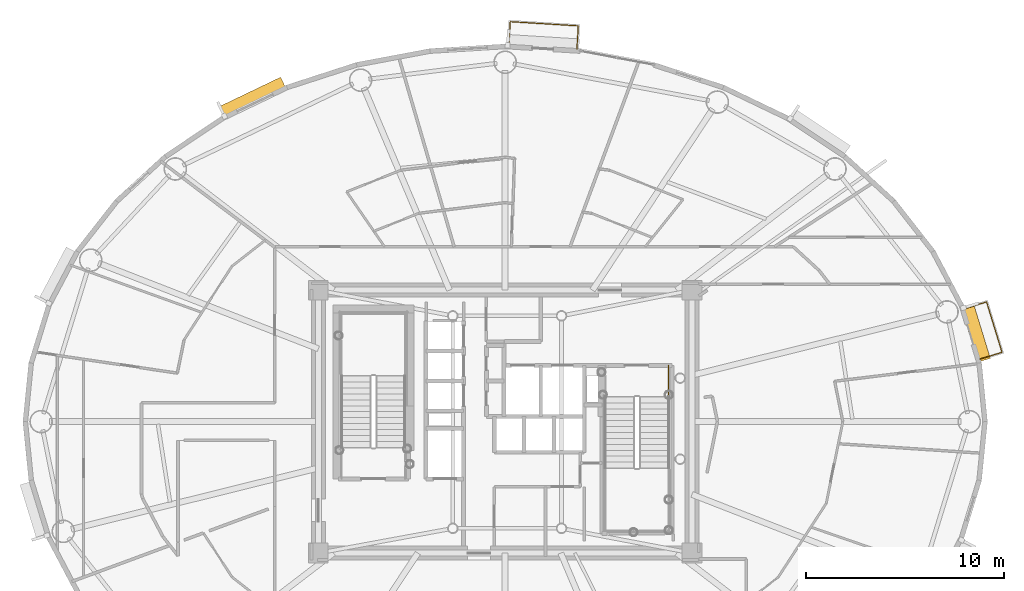
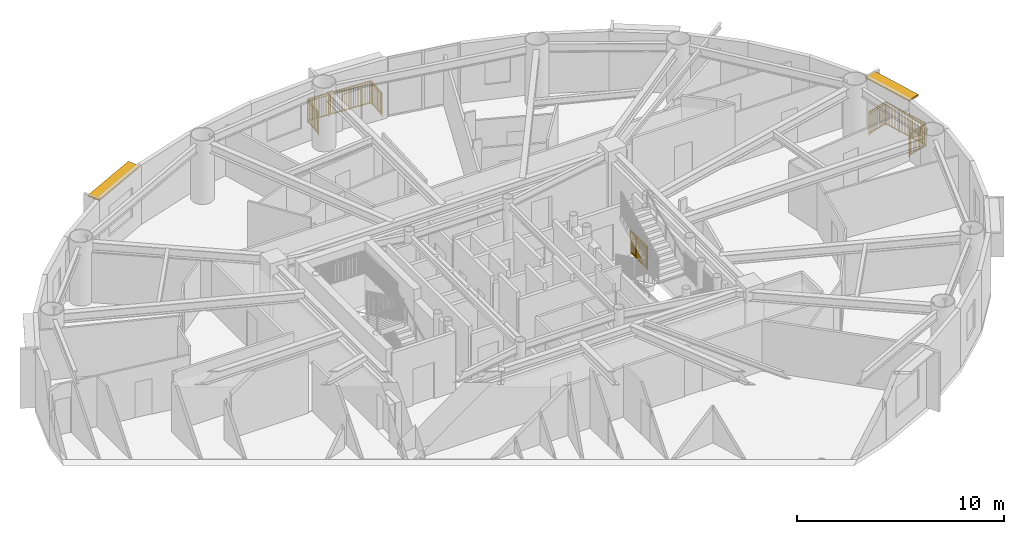
# One storey, part 19 of 20: 3 railings, 2 shading devices.
"""IFC4 building model written with IfcOpenShell, lengths in metres."""

import ifcopenshell
import ifcopenshell.guid

model = None  # the IFC model being written
_history = None  # IfcOwnerHistory: only IFC2X3 demands one
_inside = {}  # id of a spatial element -> (the spatial element, [elements in it])
_under = {}  # id of a project, library or spatial element -> (it, [spatial elements below it])
_declared = {}  # id of a project -> (the project, [libraries it declares])
_typed = {}  # id of a type object -> (the type object, [elements of that type])
_made_of = {}  # id of a material, layer set ... -> (it, [elements and type objects made of it])


def new_model(schema):
    """Start an empty IFC model of exactly this schema.

    Asked for "IFC4X3", IfcOpenShell would pick the latest addendum, in which some entities
    have other attributes; the version numbers below select the first issue.
    IFC2X3 requires an IfcOwnerHistory on every rooted entity: one is made here for all.
    """
    global model, _history
    if schema == "IFC4X3":
        model = ifcopenshell.file(schema_version=(4, 3, 0, 0))
    else:
        model = ifcopenshell.file(schema=schema)
    _inside.clear()
    _under.clear()
    _declared.clear()
    _typed.clear()
    _made_of.clear()
    _history = None
    if model.schema == "IFC2X3":
        org = make("IfcOrganization", Name="unknown")
        user = make(
            "IfcPersonAndOrganization",
            ThePerson=make("IfcPerson", FamilyName="unknown"),
            TheOrganization=org,
        )
        app = make(
            "IfcApplication",
            ApplicationDeveloper=org,
            Version="unknown",
            ApplicationFullName="unknown",
            ApplicationIdentifier="unknown",
        )
        _history = make(
            "IfcOwnerHistory",
            OwningUser=user,
            OwningApplication=app,
            ChangeAction="ADDED",
            CreationDate=0,
        )
    return model


def make(cls, **values):
    """One entity of the class cls with the attributes given. An attribute that is None is left unset."""
    return model.create_entity(
        cls, **{name: value for name, value in values.items() if value is not None}
    )


def rooted(cls, **values):
    """An entity with a GlobalId (a new one), such as an element, a storey or a relation."""
    return make(cls, GlobalId=ifcopenshell.guid.new(), OwnerHistory=_history, **values)


def si_unit(unit_type, name, prefix=None):
    """IfcSIUnit, for example si_unit("LENGTHUNIT", "METRE", prefix="MILLI")."""
    return make("IfcSIUnit", UnitType=unit_type, Prefix=prefix, Name=name)


def assignment(units):
    """IfcUnitAssignment: the units of a project."""
    return None if units is None else make("IfcUnitAssignment", Units=units)


def point(xyz):
    """IfcCartesianPoint."""
    return None if xyz is None else make("IfcCartesianPoint", Coordinates=xyz)


def direction(xyz):
    """IfcDirection."""
    return None if xyz is None else make("IfcDirection", DirectionRatios=xyz)


def frame(location, z_axis=None, x_axis=None):
    """IfcAxis2Placement3D, a coordinate frame: its origin and axes. An axis left out is left unset."""
    return make(
        "IfcAxis2Placement3D",
        Location=point(location),
        Axis=direction(z_axis),
        RefDirection=direction(x_axis),
    )


def frame_2d(location, x_axis=None):
    """IfcAxis2Placement2D, a coordinate frame in the plane: its origin and x axis."""
    return make(
        "IfcAxis2Placement2D", Location=point(location), RefDirection=direction(x_axis)
    )


def origin():
    """The frame at (0, 0, 0) with its axes left unset."""
    return frame((0.0, 0.0, 0.0))


def origin_2d():
    """The frame at (0, 0) in the plane with its x axis left unset."""
    return frame_2d((0.0, 0.0))


def place(relative_to, where):
    """IfcLocalPlacement: puts the frame where relative to a parent placement (None: the world)."""
    return make(
        "IfcLocalPlacement", PlacementRelTo=relative_to, RelativePlacement=where
    )


def context(
    kind, dimensions, precision=None, world=None, true_north=None, identifier=None
):
    """IfcGeometricRepresentationContext, for example the 3D "Model" context."""
    return make(
        "IfcGeometricRepresentationContext",
        ContextIdentifier=identifier,
        ContextType=kind,
        CoordinateSpaceDimension=dimensions,
        Precision=precision,
        WorldCoordinateSystem=world,
        TrueNorth=true_north,
    )


def subcontext(parent, identifier, kind, view, scale=None):
    """IfcGeometricRepresentationSubContext, for example "Body" below "Model"."""
    return make(
        "IfcGeometricRepresentationSubContext",
        ContextIdentifier=identifier,
        ContextType=kind,
        ParentContext=parent,
        TargetScale=scale,
        TargetView=view,
    )


def project(units=None, contexts=None):
    """IfcProject with its units and contexts."""
    return rooted(
        "IfcProject",
        Name="project",
        RepresentationContexts=contexts,
        UnitsInContext=assignment(units),
    )


def spatial(cls, under=None, at=None, **own):
    """A site, building, storey or space (cls), placed at a placement, below another one or the project."""
    s = rooted(cls, ObjectPlacement=at, **own)
    if under is not None:
        _under.setdefault(under.id(), (under, []))[1].append(s)
    return s


def profile(cls, at=None, kind="AREA", **sizes):
    """A parametric profile (cls). Its sizes go by their IFC names, for example OverallWidth=200.0."""
    return make(cls, ProfileType=kind, Position=at, **sizes)


def rectangle(**sizes):
    """IfcRectangleProfileDef."""
    return profile("IfcRectangleProfileDef", **sizes)


def extrude(swept, where, along, depth):
    """IfcExtrudedAreaSolid: the profile swept, set in the frame where, extruded along a direction by depth."""
    return make(
        "IfcExtrudedAreaSolid",
        SweptArea=swept,
        Position=where,
        ExtrudedDirection=direction(along),
        Depth=depth,
    )


def shape(context_of_items, identifier, shape_type, items):
    """IfcShapeRepresentation: the items that make up one representation, for example the "Body"."""
    return make(
        "IfcShapeRepresentation",
        ContextOfItems=context_of_items,
        RepresentationIdentifier=identifier,
        RepresentationType=shape_type,
        Items=items,
    )


def source(mapping_origin, context_of_items, identifier, shape_type, items):
    """IfcRepresentationMap: a shape defined once, which mapped items show again and again."""
    return make(
        "IfcRepresentationMap",
        MappingOrigin=mapping_origin,
        MappedRepresentation=shape(context_of_items, identifier, shape_type, items),
    )


def transform(
    local_origin,
    x_axis=None,
    y_axis=None,
    z_axis=None,
    scale=None,
    scale2=None,
    scale3=None,
    uniform=True,
):
    """IfcCartesianTransformationOperator3D, or its non-uniform kind. x_axis, y_axis, z_axis: its Axis1, 2, 3."""
    if uniform:
        return make(
            "IfcCartesianTransformationOperator3D",
            Axis1=direction(x_axis),
            Axis2=direction(y_axis),
            LocalOrigin=point(local_origin),
            Scale=scale,
            Axis3=direction(z_axis),
        )
    return make(
        "IfcCartesianTransformationOperator3DnonUniform",
        Axis1=direction(x_axis),
        Axis2=direction(y_axis),
        LocalOrigin=point(local_origin),
        Scale=scale,
        Axis3=direction(z_axis),
        Scale2=scale2,
        Scale3=scale3,
    )


def mapped(mapping_source, mapping_target):
    """IfcMappedItem: shows the shape of a source again, moved by a transform."""
    return make(
        "IfcMappedItem", MappingSource=mapping_source, MappingTarget=mapping_target
    )


def material(Name=None, Category=None):
    """IfcMaterial."""
    return make("IfcMaterial", Name=Name, Category=Category)


def layer(
    of_material, thickness, ventilated=None, Name=None, Category=None, Priority=None
):
    """IfcMaterialLayer: one layer of a wall or slab, of a material (None: an air gap)."""
    return make(
        "IfcMaterialLayer",
        Material=of_material,
        LayerThickness=thickness,
        IsVentilated=ventilated,
        Name=Name,
        Category=Category,
        Priority=Priority,
    )


def layer_set(layers, Name=None):
    """IfcMaterialLayerSet."""
    return make("IfcMaterialLayerSet", MaterialLayers=layers, LayerSetName=Name)


def made_of(thing, what):
    """Note that an element or type object is made of a material, layer set ...; save() writes the relation."""
    if what is not None:
        _made_of.setdefault(what.id(), (what, []))[1].append(thing)
    return thing


def type_object(cls, material=None, **own):
    """A type object (cls), such as IfcWallType, which elements share."""
    return made_of(rooted(cls, **own), material)


def element(
    cls,
    number,
    at=None,
    inside=None,
    cuts=None,
    type_object=None,
    material=None,
    context=None,
    identifier="Body",
    shape_type=None,
    held_by="IfcProductDefinitionShape",
    body=None,
    shapes=None,
    **own,
):
    """One element of the class cls, such as IfcWall. Its Tag is "e" and its number.

    at: its placement. inside: the storey or other place that contains it. cuts: it is an
    opening in that element (IfcRelVoidsElement). A single representation is given by context,
    identifier, shape_type and body (its items); several are given by shapes. held_by: the class
    of the entity that holds the representations. save() writes the other relations.
    """
    e = rooted(cls, Tag="e%d" % number, ObjectPlacement=at, **own)
    if body is not None:
        shapes = [shape(context, identifier, shape_type, body)]
    if shapes is not None:
        e.Representation = make(held_by, Representations=shapes)
    if inside is not None:
        _inside.setdefault(inside.id(), (inside, []))[1].append(e)
    if cuts is not None:
        rooted(
            "IfcRelVoidsElement", RelatingBuildingElement=cuts, RelatedOpeningElement=e
        )
    if type_object is not None:
        _typed.setdefault(type_object.id(), (type_object, []))[1].append(e)
    return made_of(e, material)


def aggregate(whole, parts):
    """IfcRelAggregates: a whole, such as a stair, and the parts it consists of."""
    return rooted("IfcRelAggregates", RelatingObject=whole, RelatedObjects=parts)


def save(model, path):
    """Write the relations noted so far, then the file.

    IfcRelAggregates (storeys below a building ...), IfcRelContainedInSpatialStructure (elements
    in a storey), IfcRelDefinesByType, IfcRelAssociatesMaterial and IfcRelDeclares: one each for
    every whole, place, type object, material and project.
    """
    for whole, parts in _under.values():
        aggregate(whole, parts)
    for where, things in _inside.values():
        rooted(
            "IfcRelContainedInSpatialStructure",
            RelatedElements=things,
            RelatingStructure=where,
        )
    for kind, things in _typed.values():
        rooted("IfcRelDefinesByType", RelatedObjects=things, RelatingType=kind)
    for what, things in _made_of.values():
        rooted("IfcRelAssociatesMaterial", RelatedObjects=things, RelatingMaterial=what)
    for by, libraries in _declared.values():
        rooted("IfcRelDeclares", RelatingContext=by, RelatedDefinitions=libraries)
    model.write(path)


model = new_model("IFC4")

# Units and contexts
model_context = context("Model", 3, precision=1e-05, world=origin(), true_north=direction((0.0, 1.0)))
body_context = subcontext(model_context, "Body", "Model", "MODEL_VIEW")
ifc_project = project(units=[si_unit("LENGTHUNIT", "METRE"), si_unit("AREAUNIT", "SQUARE_METRE"), si_unit("VOLUMEUNIT", "CUBIC_METRE"), si_unit("PLANEANGLEUNIT", "RADIAN"), si_unit("MASSUNIT", "GRAM", prefix="KILO")], contexts=[model_context])

# Site, building, storey
site_placement = place(None, origin())
site = spatial("IfcSite", under=ifc_project, at=site_placement, CompositionType="ELEMENT")
building_placement = place(site_placement, origin())
building = spatial("IfcBuilding", under=site, at=building_placement, Name="Linh Dai School and Residence Tower", CompositionType="ELEMENT")
storey_placement = place(building_placement, frame((0.0, 0.0, 221.550048828125)))
storey = spatial("IfcBuildingStorey", under=building, at=storey_placement, Name="L54", CompositionType="ELEMENT", Elevation=221.550048828125)

# Railing
ifc_material_1 = material(Name="Structural Steel S355JR", Category="steel")
railing_type_1 = type_object("IfcRailingType", Name="RL-BAL-1400", PredefinedType="BALUSTRADE", material=ifc_material_1)
shared_shape_1 = source(origin(), body_context, "Body", "SweptSolid", [
    extrude(rectangle(XDim=0.048095703125, YDim=0.048095703125, at=origin_2d()), frame((0.0, 0.0, 1.3759765625), z_axis=(0.95606039398, 0.293169785386, 0.0), x_axis=(-0.293169785386, 0.95606039398, 0.0)), (0.0, 0.0, 1.0), 1.179931640625),
    extrude(rectangle(XDim=0.048095703125, YDim=0.048095703125, at=origin_2d()), frame((0.0, 0.0, 0.10009765625), z_axis=(0.95606039398, 0.293169785386, 0.0), x_axis=(-0.293169785386, 0.95606039398, 0.0)), (0.0, 0.0, 1.0), 1.179931640625),
    extrude(rectangle(XDim=0.030029296875, YDim=0.030029296875, at=origin_2d()), frame((0.0, 0.0, 1.239990234375), z_axis=(0.95606039398, 0.293169785386, 0.0), x_axis=(-0.293169785386, 0.95606039398, 0.0)), (0.0, 0.0, 1.0), 1.179931640625),
    extrude(rectangle(XDim=0.02001953125, YDim=0.02001953125, at=origin_2d()), frame((0.086669921875, 0.026611328125, 0.10009765625)), (0.0, 0.0, 1.0), 1.251708984375),
    extrude(rectangle(XDim=0.02001953125, YDim=0.02001953125, at=origin_2d()), frame((0.173583984375, 0.05322265625, 0.10009765625)), (0.0, 0.0, 1.0), 1.251708984375),
    extrude(rectangle(XDim=0.02001953125, YDim=0.02001953125, at=origin_2d()), frame((0.26025390625, 0.079833984375, 0.10009765625)), (0.0, 0.0, 1.0), 1.251708984375),
    extrude(rectangle(XDim=0.02001953125, YDim=0.02001953125, at=origin_2d()), frame((0.34716796875, 0.1064453125, 0.10009765625)), (0.0, 0.0, 1.0), 1.251708984375),
    extrude(rectangle(XDim=0.02001953125, YDim=0.02001953125, at=origin_2d()), frame((0.433837890625, 0.133056640625, 0.10009765625)), (0.0, 0.0, 1.0), 1.251708984375),
    extrude(rectangle(XDim=0.02001953125, YDim=0.02001953125, at=origin_2d()), frame((0.520751953125, 0.15966796875, 0.10009765625)), (0.0, 0.0, 1.0), 1.251708984375),
    extrude(rectangle(XDim=0.02001953125, YDim=0.02001953125, at=origin_2d()), frame((0.607421875, 0.186279296875, 0.10009765625)), (0.0, 0.0, 1.0), 1.251708984375),
    extrude(rectangle(XDim=0.02001953125, YDim=0.02001953125, at=origin_2d()), frame((0.6943359375, 0.212890625, 0.10009765625)), (0.0, 0.0, 1.0), 1.251708984375),
    extrude(rectangle(XDim=0.02001953125, YDim=0.02001953125, at=origin_2d()), frame((0.781005859375, 0.239501953125, 0.10009765625)), (0.0, 0.0, 1.0), 1.251708984375),
    extrude(rectangle(XDim=0.02001953125, YDim=0.02001953125, at=origin_2d()), frame((0.867919921875, 0.26611328125, 0.10009765625)), (0.0, 0.0, 1.0), 1.251708984375),
    extrude(rectangle(XDim=0.02001953125, YDim=0.02001953125, at=origin_2d()), frame((0.95458984375, 0.292724609375, 0.10009765625)), (0.0, 0.0, 1.0), 1.251708984375),
    extrude(rectangle(XDim=0.02001953125, YDim=0.02001953125, at=origin_2d()), frame((1.04150390625, 0.3193359375, 0.10009765625)), (0.0, 0.0, 1.0), 1.251708984375),
    extrude(rectangle(XDim=0.048095703125, YDim=0.048095703125, at=origin_2d()), frame((1.128173828125, 0.345947265625, 1.3759765625), z_axis=(0.293158695178, -0.95606379465, 0.0), x_axis=(0.95606379465, 0.293158695178, 0.0)), (0.0, 0.0, 1.0), 2.6650390625),
    extrude(rectangle(XDim=0.048095703125, YDim=0.048095703125, at=origin_2d()), frame((1.128173828125, 0.345947265625, 0.10009765625), z_axis=(0.293158695178, -0.95606379465, 0.0), x_axis=(0.95606379465, 0.293158695178, 0.0)), (0.0, 0.0, 1.0), 2.6650390625),
    extrude(rectangle(XDim=0.030029296875, YDim=0.030029296875, at=origin_2d()), frame((1.128173828125, 0.345947265625, 1.239990234375), z_axis=(0.293158695178, -0.95606379465, 0.0), x_axis=(0.95606379465, 0.293158695178, 0.0)), (0.0, 0.0, 1.0), 2.6650390625),
    extrude(rectangle(XDim=0.02001953125, YDim=0.02001953125, at=origin_2d()), frame((1.156005859375, 0.2548828125, 0.10009765625)), (0.0, 0.0, 1.0), 1.251708984375),
    extrude(rectangle(XDim=0.02001953125, YDim=0.02001953125, at=origin_2d()), frame((1.18408203125, 0.1640625, 0.10009765625)), (0.0, 0.0, 1.0), 1.251708984375),
    extrude(rectangle(XDim=0.02001953125, YDim=0.02001953125, at=origin_2d()), frame((1.2119140625, 0.072998046875, 0.10009765625)), (0.0, 0.0, 1.0), 1.251708984375),
    extrude(rectangle(XDim=0.02001953125, YDim=0.02001953125, at=origin_2d()), frame((1.23974609375, -0.01806640625, 0.10009765625)), (0.0, 0.0, 1.0), 1.251708984375),
    extrude(rectangle(XDim=0.02001953125, YDim=0.02001953125, at=origin_2d()), frame((1.267578125, -0.109130859375, 0.10009765625)), (0.0, 0.0, 1.0), 1.251708984375),
    extrude(rectangle(XDim=0.02001953125, YDim=0.02001953125, at=origin_2d()), frame((1.295654296875, -0.199951171875, 0.10009765625)), (0.0, 0.0, 1.0), 1.251708984375),
    extrude(rectangle(XDim=0.02001953125, YDim=0.02001953125, at=origin_2d()), frame((1.323486328125, -0.291015625, 0.10009765625)), (0.0, 0.0, 1.0), 1.251708984375),
    extrude(rectangle(XDim=0.02001953125, YDim=0.02001953125, at=origin_2d()), frame((1.351318359375, -0.382080078125, 0.10009765625)), (0.0, 0.0, 1.0), 1.251708984375),
    extrude(rectangle(XDim=0.02001953125, YDim=0.02001953125, at=origin_2d()), frame((1.4072265625, -0.56396484375, 0.10009765625)), (0.0, 0.0, 1.0), 1.251708984375),
    extrude(rectangle(XDim=0.02001953125, YDim=0.02001953125, at=origin_2d()), frame((1.43505859375, -0.655029296875, 0.10009765625)), (0.0, 0.0, 1.0), 1.251708984375),
    extrude(rectangle(XDim=0.02001953125, YDim=0.02001953125, at=origin_2d()), frame((1.462890625, -0.74609375, 0.10009765625)), (0.0, 0.0, 1.0), 1.251708984375),
    extrude(rectangle(XDim=0.02001953125, YDim=0.02001953125, at=origin_2d()), frame((1.490966796875, -0.8369140625, 0.10009765625)), (0.0, 0.0, 1.0), 1.251708984375),
    extrude(rectangle(XDim=0.02001953125, YDim=0.02001953125, at=origin_2d()), frame((1.518798828125, -0.927978515625, 0.10009765625)), (0.0, 0.0, 1.0), 1.251708984375),
    extrude(rectangle(XDim=0.02001953125, YDim=0.02001953125, at=origin_2d()), frame((1.546630859375, -1.01904296875, 0.10009765625)), (0.0, 0.0, 1.0), 1.251708984375),
    extrude(rectangle(XDim=0.02001953125, YDim=0.02001953125, at=origin_2d()), frame((1.57470703125, -1.10986328125, 0.10009765625)), (0.0, 0.0, 1.0), 1.251708984375),
    extrude(rectangle(XDim=0.02001953125, YDim=0.02001953125, at=origin_2d()), frame((1.6025390625, -1.200927734375, 0.10009765625)), (0.0, 0.0, 1.0), 1.251708984375),
    extrude(rectangle(XDim=0.02001953125, YDim=0.02001953125, at=origin_2d()), frame((1.63037109375, -1.2919921875, 0.10009765625)), (0.0, 0.0, 1.0), 1.251708984375),
    extrude(rectangle(XDim=0.02001953125, YDim=0.02001953125, at=origin_2d()), frame((1.686279296875, -1.473876953125, 0.10009765625)), (0.0, 0.0, 1.0), 1.251708984375),
    extrude(rectangle(XDim=0.02001953125, YDim=0.02001953125, at=origin_2d()), frame((1.714111328125, -1.56494140625, 0.10009765625)), (0.0, 0.0, 1.0), 1.251708984375),
    extrude(rectangle(XDim=0.02001953125, YDim=0.02001953125, at=origin_2d()), frame((1.741943359375, -1.656005859375, 0.10009765625)), (0.0, 0.0, 1.0), 1.251708984375),
    extrude(rectangle(XDim=0.02001953125, YDim=0.02001953125, at=origin_2d()), frame((1.77001953125, -1.746826171875, 0.10009765625)), (0.0, 0.0, 1.0), 1.251708984375),
    extrude(rectangle(XDim=0.02001953125, YDim=0.02001953125, at=origin_2d()), frame((1.7978515625, -1.837890625, 0.10009765625)), (0.0, 0.0, 1.0), 1.251708984375),
    extrude(rectangle(XDim=0.02001953125, YDim=0.02001953125, at=origin_2d()), frame((1.82568359375, -1.928955078125, 0.10009765625)), (0.0, 0.0, 1.0), 1.251708984375),
    extrude(rectangle(XDim=0.02001953125, YDim=0.02001953125, at=origin_2d()), frame((1.853515625, -2.02001953125, 0.10009765625)), (0.0, 0.0, 1.0), 1.251708984375),
    extrude(rectangle(XDim=0.02001953125, YDim=0.02001953125, at=origin_2d()), frame((1.881591796875, -2.11083984375, 0.10009765625)), (0.0, 0.0, 1.0), 1.251708984375),
    extrude(rectangle(XDim=0.048095703125, YDim=0.048095703125, at=origin_2d()), frame((1.909423828125, -2.201904296875, 1.3759765625), z_axis=(-0.95606039398, -0.293169785386, 0.0), x_axis=(0.293169785386, -0.95606039398, 0.0)), (0.0, 0.0, 1.0), 1.179931640625),
    extrude(rectangle(XDim=0.048095703125, YDim=0.048095703125, at=origin_2d()), frame((1.909423828125, -2.201904296875, 0.10009765625), z_axis=(-0.95606039398, -0.293169785386, 0.0), x_axis=(0.293169785386, -0.95606039398, 0.0)), (0.0, 0.0, 1.0), 1.179931640625),
    extrude(rectangle(XDim=0.030029296875, YDim=0.030029296875, at=origin_2d()), frame((1.909423828125, -2.201904296875, 1.239990234375), z_axis=(-0.95606039398, -0.293169785386, 0.0), x_axis=(0.293169785386, -0.95606039398, 0.0)), (0.0, 0.0, 1.0), 1.179931640625),
    extrude(rectangle(XDim=0.02001953125, YDim=0.02001953125, at=origin_2d()), frame((1.82275390625, -2.228515625, 0.10009765625)), (0.0, 0.0, 1.0), 1.251708984375),
    extrude(rectangle(XDim=0.02001953125, YDim=0.02001953125, at=origin_2d()), frame((1.73583984375, -2.255126953125, 0.10009765625)), (0.0, 0.0, 1.0), 1.251708984375),
    extrude(rectangle(XDim=0.02001953125, YDim=0.02001953125, at=origin_2d()), frame((1.649169921875, -2.28173828125, 0.10009765625)), (0.0, 0.0, 1.0), 1.251708984375),
    extrude(rectangle(XDim=0.02001953125, YDim=0.02001953125, at=origin_2d()), frame((1.562255859375, -2.308349609375, 0.10009765625)), (0.0, 0.0, 1.0), 1.251708984375),
    extrude(rectangle(XDim=0.02001953125, YDim=0.02001953125, at=origin_2d()), frame((1.4755859375, -2.3349609375, 0.10009765625)), (0.0, 0.0, 1.0), 1.251708984375),
    extrude(rectangle(XDim=0.02001953125, YDim=0.02001953125, at=origin_2d()), frame((1.388671875, -2.361572265625, 0.10009765625)), (0.0, 0.0, 1.0), 1.251708984375),
    extrude(rectangle(XDim=0.02001953125, YDim=0.02001953125, at=origin_2d()), frame((1.302001953125, -2.38818359375, 0.10009765625)), (0.0, 0.0, 1.0), 1.251708984375),
    extrude(rectangle(XDim=0.02001953125, YDim=0.02001953125, at=origin_2d()), frame((1.215087890625, -2.414794921875, 0.10009765625)), (0.0, 0.0, 1.0), 1.251708984375),
    extrude(rectangle(XDim=0.02001953125, YDim=0.02001953125, at=origin_2d()), frame((1.12841796875, -2.44140625, 0.10009765625)), (0.0, 0.0, 1.0), 1.251708984375),
    extrude(rectangle(XDim=0.02001953125, YDim=0.02001953125, at=origin_2d()), frame((1.04150390625, -2.468017578125, 0.10009765625)), (0.0, 0.0, 1.0), 1.251708984375),
    extrude(rectangle(XDim=0.02001953125, YDim=0.02001953125, at=origin_2d()), frame((0.954833984375, -2.49462890625, 0.10009765625)), (0.0, 0.0, 1.0), 1.251708984375),
    extrude(rectangle(XDim=0.02001953125, YDim=0.02001953125, at=origin_2d()), frame((0.867919921875, -2.521240234375, 0.10009765625)), (0.0, 0.0, 1.0), 1.251708984375),
    extrude(rectangle(XDim=0.0419921875, YDim=0.0419921875, at=origin_2d()), origin(), (0.0, 0.0, 1.0), 1.3759765625),
    extrude(rectangle(XDim=0.0419921875, YDim=0.0419921875, at=origin_2d()), frame((1.128173828125, 0.345947265625, 0.0)), (0.0, 0.0, 1.0), 1.3759765625),
    extrude(rectangle(XDim=0.0419921875, YDim=0.0419921875, at=origin_2d()), frame((1.388671875, -0.50341796875, 0.0)), (0.0, 0.0, 1.0), 1.3759765625),
    extrude(rectangle(XDim=0.0419921875, YDim=0.0419921875, at=origin_2d()), frame((1.64892578125, -1.3525390625, 0.0)), (0.0, 0.0, 1.0), 1.3759765625),
    extrude(rectangle(XDim=0.0419921875, YDim=0.0419921875, at=origin_2d()), frame((1.909423828125, -2.201904296875, 0.0)), (0.0, 0.0, 1.0), 1.3759765625),
    extrude(rectangle(XDim=0.0419921875, YDim=0.0419921875, at=origin_2d()), frame((0.78125, -2.5478515625, 0.0)), (0.0, 0.0, 1.0), 1.3759765625),
])
railing_1_placement = place(storey_placement, frame((59.224365234375, 32.708740234375, 0.0)))
element("IfcRailing", 1, at=railing_1_placement, inside=storey, type_object=railing_type_1, Name="L54 Balcony Safety Balustrade 02", PredefinedType="BALUSTRADE", context=body_context, shape_type="MappedRepresentation", body=[
    mapped(shared_shape_1, transform((0.0, 0.0, 0.0), x_axis=(1.0, 0.0, 0.0), y_axis=(0.0, 1.0, 0.0), z_axis=(0.0, 0.0, 1.0), scale=1.0)),
])

# Shading device
ifc_material_2 = material(Name="Terracotta Ceramic Sunshade", Category="masonry")
ifc_layer = layer(ifc_material_2, 0.10009765625)
ifc_layer_set = layer_set([ifc_layer], Name="Terracotta Ceramic Sunshade")
shading_device_type = type_object("IfcShadingDeviceType", Name="SHD-TC-650", PredefinedType="USERDEFINED", material=ifc_layer_set)
shared_shape_2 = source(origin(), body_context, "Body", "SweptSolid", [
    extrude(rectangle(XDim=2.90380859375, YDim=0.64990234375, at=origin_2d()), origin(), (0.0, 0.0, 1.0), 0.10009765625),
])
shading_device_1_placement = place(storey_placement, frame((59.80615234375, 31.493408203125, 3.3798828125), z_axis=(0.0, 0.0, 1.0), x_axis=(0.2931574026, -0.956064190994, 0.0)))
element("IfcShadingDevice", 2, at=shading_device_1_placement, inside=storey, type_object=shading_device_type, Name="L54 Terracotta Horizontal Sunshade Band 02", ObjectType="SUNSHADE", PredefinedType="USERDEFINED", context=body_context, shape_type="MappedRepresentation", body=[
    mapped(shared_shape_2, transform((0.0, 0.0, 0.0), x_axis=(1.0, 0.0, 0.0), y_axis=(0.0, 1.0, 0.0), z_axis=(0.0, 0.0, 1.0), scale=1.0)),
])

# Railing
shared_shape_3 = source(origin(), body_context, "Body", "SweptSolid", [
    extrude(rectangle(XDim=0.048095703125, YDim=0.048095703125, at=origin_2d()), frame((0.0, 0.0, 1.3759765625), z_axis=(0.061656929038, 0.99809740161, 0.0), x_axis=(-0.99809740161, 0.061656929038, 0.0)), (0.0, 0.0, 1.0), 1.179931640625),
    extrude(rectangle(XDim=0.048095703125, YDim=0.048095703125, at=origin_2d()), frame((0.0, 0.0, 0.10009765625), z_axis=(0.061656929038, 0.99809740161, 0.0), x_axis=(-0.99809740161, 0.061656929038, 0.0)), (0.0, 0.0, 1.0), 1.179931640625),
    extrude(rectangle(XDim=0.030029296875, YDim=0.030029296875, at=origin_2d()), frame((0.0, 0.0, 1.239990234375), z_axis=(0.061656929038, 0.99809740161, 0.0), x_axis=(-0.99809740161, 0.061656929038, 0.0)), (0.0, 0.0, 1.0), 1.179931640625),
    extrude(rectangle(XDim=0.02001953125, YDim=0.02001953125, at=origin_2d()), frame((0.005615234375, 0.090576171875, 0.10009765625)), (0.0, 0.0, 1.0), 1.251708984375),
    extrude(rectangle(XDim=0.02001953125, YDim=0.02001953125, at=origin_2d()), frame((0.01123046875, 0.18115234375, 0.10009765625)), (0.0, 0.0, 1.0), 1.251708984375),
    extrude(rectangle(XDim=0.02001953125, YDim=0.02001953125, at=origin_2d()), frame((0.016845703125, 0.271728515625, 0.10009765625)), (0.0, 0.0, 1.0), 1.251708984375),
    extrude(rectangle(XDim=0.02001953125, YDim=0.02001953125, at=origin_2d()), frame((0.0224609375, 0.3623046875, 0.10009765625)), (0.0, 0.0, 1.0), 1.251708984375),
    extrude(rectangle(XDim=0.02001953125, YDim=0.02001953125, at=origin_2d()), frame((0.028076171875, 0.452880859375, 0.10009765625)), (0.0, 0.0, 1.0), 1.251708984375),
    extrude(rectangle(XDim=0.02001953125, YDim=0.02001953125, at=origin_2d()), frame((0.03369140625, 0.54345703125, 0.10009765625)), (0.0, 0.0, 1.0), 1.251708984375),
    extrude(rectangle(XDim=0.02001953125, YDim=0.02001953125, at=origin_2d()), frame((0.0390625, 0.63427734375, 0.10009765625)), (0.0, 0.0, 1.0), 1.251708984375),
    extrude(rectangle(XDim=0.02001953125, YDim=0.02001953125, at=origin_2d()), frame((0.044677734375, 0.724853515625, 0.10009765625)), (0.0, 0.0, 1.0), 1.251708984375),
    extrude(rectangle(XDim=0.02001953125, YDim=0.02001953125, at=origin_2d()), frame((0.05029296875, 0.8154296875, 0.10009765625)), (0.0, 0.0, 1.0), 1.251708984375),
    extrude(rectangle(XDim=0.02001953125, YDim=0.02001953125, at=origin_2d()), frame((0.055908203125, 0.906005859375, 0.10009765625)), (0.0, 0.0, 1.0), 1.251708984375),
    extrude(rectangle(XDim=0.02001953125, YDim=0.02001953125, at=origin_2d()), frame((0.0615234375, 0.99658203125, 0.10009765625)), (0.0, 0.0, 1.0), 1.251708984375),
    extrude(rectangle(XDim=0.02001953125, YDim=0.02001953125, at=origin_2d()), frame((0.067138671875, 1.087158203125, 0.10009765625)), (0.0, 0.0, 1.0), 1.251708984375),
    extrude(rectangle(XDim=0.048095703125, YDim=0.048095703125, at=origin_2d()), frame((0.07275390625, 1.177734375, 1.3759765625), z_axis=(0.998110267101, -0.061448309231, 0.0), x_axis=(0.061448309231, 0.998110267101, 0.0)), (0.0, 0.0, 1.0), 3.44873046875),
    extrude(rectangle(XDim=0.048095703125, YDim=0.048095703125, at=origin_2d()), frame((0.07275390625, 1.177734375, 0.10009765625), z_axis=(0.998110267101, -0.061448309231, 0.0), x_axis=(0.061448309231, 0.998110267101, 0.0)), (0.0, 0.0, 1.0), 3.44873046875),
    extrude(rectangle(XDim=0.030029296875, YDim=0.030029296875, at=origin_2d()), frame((0.07275390625, 1.177734375, 1.239990234375), z_axis=(0.998110267101, -0.061448309231, 0.0), x_axis=(0.061448309231, 0.998110267101, 0.0)), (0.0, 0.0, 1.0), 3.44873046875),
    extrude(rectangle(XDim=0.02001953125, YDim=0.02001953125, at=origin_2d()), frame((0.16845703125, 1.171875, 0.10009765625)), (0.0, 0.0, 1.0), 1.251708984375),
    extrude(rectangle(XDim=0.02001953125, YDim=0.02001953125, at=origin_2d()), frame((0.263916015625, 1.166015625, 0.10009765625)), (0.0, 0.0, 1.0), 1.251708984375),
    extrude(rectangle(XDim=0.02001953125, YDim=0.02001953125, at=origin_2d()), frame((0.359619140625, 1.16015625, 0.10009765625)), (0.0, 0.0, 1.0), 1.251708984375),
    extrude(rectangle(XDim=0.02001953125, YDim=0.02001953125, at=origin_2d()), frame((0.455322265625, 1.154296875, 0.10009765625)), (0.0, 0.0, 1.0), 1.251708984375),
    extrude(rectangle(XDim=0.02001953125, YDim=0.02001953125, at=origin_2d()), frame((0.55078125, 1.148193359375, 0.10009765625)), (0.0, 0.0, 1.0), 1.251708984375),
    extrude(rectangle(XDim=0.02001953125, YDim=0.02001953125, at=origin_2d()), frame((0.646484375, 1.142333984375, 0.10009765625)), (0.0, 0.0, 1.0), 1.251708984375),
    extrude(rectangle(XDim=0.02001953125, YDim=0.02001953125, at=origin_2d()), frame((0.741943359375, 1.136474609375, 0.10009765625)), (0.0, 0.0, 1.0), 1.251708984375),
    extrude(rectangle(XDim=0.02001953125, YDim=0.02001953125, at=origin_2d()), frame((0.837646484375, 1.130615234375, 0.10009765625)), (0.0, 0.0, 1.0), 1.251708984375),
    extrude(rectangle(XDim=0.02001953125, YDim=0.02001953125, at=origin_2d()), frame((0.933349609375, 1.124755859375, 0.10009765625)), (0.0, 0.0, 1.0), 1.251708984375),
    extrude(rectangle(XDim=0.02001953125, YDim=0.02001953125, at=origin_2d()), frame((1.02880859375, 1.118896484375, 0.10009765625)), (0.0, 0.0, 1.0), 1.251708984375),
    extrude(rectangle(XDim=0.02001953125, YDim=0.02001953125, at=origin_2d()), frame((1.12451171875, 1.113037109375, 0.10009765625)), (0.0, 0.0, 1.0), 1.251708984375),
    extrude(rectangle(XDim=0.02001953125, YDim=0.02001953125, at=origin_2d()), frame((1.315673828125, 1.101318359375, 0.10009765625)), (0.0, 0.0, 1.0), 1.251708984375),
    extrude(rectangle(XDim=0.02001953125, YDim=0.02001953125, at=origin_2d()), frame((1.411376953125, 1.09521484375, 0.10009765625)), (0.0, 0.0, 1.0), 1.251708984375),
    extrude(rectangle(XDim=0.02001953125, YDim=0.02001953125, at=origin_2d()), frame((1.507080078125, 1.08935546875, 0.10009765625)), (0.0, 0.0, 1.0), 1.251708984375),
    extrude(rectangle(XDim=0.02001953125, YDim=0.02001953125, at=origin_2d()), frame((1.6025390625, 1.08349609375, 0.10009765625)), (0.0, 0.0, 1.0), 1.251708984375),
    extrude(rectangle(XDim=0.02001953125, YDim=0.02001953125, at=origin_2d()), frame((1.6982421875, 1.07763671875, 0.10009765625)), (0.0, 0.0, 1.0), 1.251708984375),
    extrude(rectangle(XDim=0.02001953125, YDim=0.02001953125, at=origin_2d()), frame((1.7939453125, 1.07177734375, 0.10009765625)), (0.0, 0.0, 1.0), 1.251708984375),
    extrude(rectangle(XDim=0.02001953125, YDim=0.02001953125, at=origin_2d()), frame((1.889404296875, 1.06591796875, 0.10009765625)), (0.0, 0.0, 1.0), 1.251708984375),
    extrude(rectangle(XDim=0.02001953125, YDim=0.02001953125, at=origin_2d()), frame((1.985107421875, 1.06005859375, 0.10009765625)), (0.0, 0.0, 1.0), 1.251708984375),
    extrude(rectangle(XDim=0.02001953125, YDim=0.02001953125, at=origin_2d()), frame((2.08056640625, 1.05419921875, 0.10009765625)), (0.0, 0.0, 1.0), 1.251708984375),
    extrude(rectangle(XDim=0.02001953125, YDim=0.02001953125, at=origin_2d()), frame((2.17626953125, 1.04833984375, 0.10009765625)), (0.0, 0.0, 1.0), 1.251708984375),
    extrude(rectangle(XDim=0.02001953125, YDim=0.02001953125, at=origin_2d()), frame((2.27197265625, 1.042236328125, 0.10009765625)), (0.0, 0.0, 1.0), 1.251708984375),
    extrude(rectangle(XDim=0.02001953125, YDim=0.02001953125, at=origin_2d()), frame((2.463134765625, 1.030517578125, 0.10009765625)), (0.0, 0.0, 1.0), 1.251708984375),
    extrude(rectangle(XDim=0.02001953125, YDim=0.02001953125, at=origin_2d()), frame((2.558837890625, 1.024658203125, 0.10009765625)), (0.0, 0.0, 1.0), 1.251708984375),
    extrude(rectangle(XDim=0.02001953125, YDim=0.02001953125, at=origin_2d()), frame((2.654296875, 1.018798828125, 0.10009765625)), (0.0, 0.0, 1.0), 1.251708984375),
    extrude(rectangle(XDim=0.02001953125, YDim=0.02001953125, at=origin_2d()), frame((2.75, 1.012939453125, 0.10009765625)), (0.0, 0.0, 1.0), 1.251708984375),
    extrude(rectangle(XDim=0.02001953125, YDim=0.02001953125, at=origin_2d()), frame((2.845703125, 1.007080078125, 0.10009765625)), (0.0, 0.0, 1.0), 1.251708984375),
    extrude(rectangle(XDim=0.02001953125, YDim=0.02001953125, at=origin_2d()), frame((2.941162109375, 1.001220703125, 0.10009765625)), (0.0, 0.0, 1.0), 1.251708984375),
    extrude(rectangle(XDim=0.02001953125, YDim=0.02001953125, at=origin_2d()), frame((3.036865234375, 0.995361328125, 0.10009765625)), (0.0, 0.0, 1.0), 1.251708984375),
    extrude(rectangle(XDim=0.02001953125, YDim=0.02001953125, at=origin_2d()), frame((3.13232421875, 0.9892578125, 0.10009765625)), (0.0, 0.0, 1.0), 1.251708984375),
    extrude(rectangle(XDim=0.02001953125, YDim=0.02001953125, at=origin_2d()), frame((3.22802734375, 0.9833984375, 0.10009765625)), (0.0, 0.0, 1.0), 1.251708984375),
    extrude(rectangle(XDim=0.02001953125, YDim=0.02001953125, at=origin_2d()), frame((3.32373046875, 0.9775390625, 0.10009765625)), (0.0, 0.0, 1.0), 1.251708984375),
    extrude(rectangle(XDim=0.02001953125, YDim=0.02001953125, at=origin_2d()), frame((3.419189453125, 0.9716796875, 0.10009765625)), (0.0, 0.0, 1.0), 1.251708984375),
    extrude(rectangle(XDim=0.048095703125, YDim=0.048095703125, at=origin_2d()), frame((3.514892578125, 0.9658203125, 1.3759765625), z_axis=(-0.061438121367, -0.998110894261, 0.0), x_axis=(0.998110894261, -0.061438121367, 0.0)), (0.0, 0.0, 1.0), 1.18017578125),
    extrude(rectangle(XDim=0.048095703125, YDim=0.048095703125, at=origin_2d()), frame((3.514892578125, 0.9658203125, 0.10009765625), z_axis=(-0.061438121367, -0.998110894261, 0.0), x_axis=(0.998110894261, -0.061438121367, 0.0)), (0.0, 0.0, 1.0), 1.18017578125),
    extrude(rectangle(XDim=0.030029296875, YDim=0.030029296875, at=origin_2d()), frame((3.514892578125, 0.9658203125, 1.239990234375), z_axis=(-0.061438121367, -0.998110894261, 0.0), x_axis=(0.998110894261, -0.061438121367, 0.0)), (0.0, 0.0, 1.0), 1.18017578125),
    extrude(rectangle(XDim=0.02001953125, YDim=0.02001953125, at=origin_2d()), frame((3.50927734375, 0.875244140625, 0.10009765625)), (0.0, 0.0, 1.0), 1.251708984375),
    extrude(rectangle(XDim=0.02001953125, YDim=0.02001953125, at=origin_2d()), frame((3.503662109375, 0.78466796875, 0.10009765625)), (0.0, 0.0, 1.0), 1.251708984375),
    extrude(rectangle(XDim=0.02001953125, YDim=0.02001953125, at=origin_2d()), frame((3.498046875, 0.694091796875, 0.10009765625)), (0.0, 0.0, 1.0), 1.251708984375),
    extrude(rectangle(XDim=0.02001953125, YDim=0.02001953125, at=origin_2d()), frame((3.49267578125, 0.603271484375, 0.10009765625)), (0.0, 0.0, 1.0), 1.251708984375),
    extrude(rectangle(XDim=0.02001953125, YDim=0.02001953125, at=origin_2d()), frame((3.487060546875, 0.5126953125, 0.10009765625)), (0.0, 0.0, 1.0), 1.251708984375),
    extrude(rectangle(XDim=0.02001953125, YDim=0.02001953125, at=origin_2d()), frame((3.4814453125, 0.422119140625, 0.10009765625)), (0.0, 0.0, 1.0), 1.251708984375),
    extrude(rectangle(XDim=0.02001953125, YDim=0.02001953125, at=origin_2d()), frame((3.475830078125, 0.33154296875, 0.10009765625)), (0.0, 0.0, 1.0), 1.251708984375),
    extrude(rectangle(XDim=0.02001953125, YDim=0.02001953125, at=origin_2d()), frame((3.47021484375, 0.240966796875, 0.10009765625)), (0.0, 0.0, 1.0), 1.251708984375),
    extrude(rectangle(XDim=0.02001953125, YDim=0.02001953125, at=origin_2d()), frame((3.464599609375, 0.150390625, 0.10009765625)), (0.0, 0.0, 1.0), 1.251708984375),
    extrude(rectangle(XDim=0.02001953125, YDim=0.02001953125, at=origin_2d()), frame((3.459228515625, 0.0595703125, 0.10009765625)), (0.0, 0.0, 1.0), 1.251708984375),
    extrude(rectangle(XDim=0.02001953125, YDim=0.02001953125, at=origin_2d()), frame((3.45361328125, -0.031005859375, 0.10009765625)), (0.0, 0.0, 1.0), 1.251708984375),
    extrude(rectangle(XDim=0.02001953125, YDim=0.02001953125, at=origin_2d()), frame((3.447998046875, -0.12158203125, 0.10009765625)), (0.0, 0.0, 1.0), 1.251708984375),
    extrude(rectangle(XDim=0.0419921875, YDim=0.0419921875, at=origin_2d()), origin(), (0.0, 0.0, 1.0), 1.3759765625),
    extrude(rectangle(XDim=0.0419921875, YDim=0.0419921875, at=origin_2d()), frame((0.07275390625, 1.177734375, 0.0)), (0.0, 0.0, 1.0), 1.3759765625),
    extrude(rectangle(XDim=0.0419921875, YDim=0.0419921875, at=origin_2d()), frame((1.22021484375, 1.107177734375, 0.0)), (0.0, 0.0, 1.0), 1.3759765625),
    extrude(rectangle(XDim=0.0419921875, YDim=0.0419921875, at=origin_2d()), frame((2.367431640625, 1.036376953125, 0.0)), (0.0, 0.0, 1.0), 1.3759765625),
    extrude(rectangle(XDim=0.0419921875, YDim=0.0419921875, at=origin_2d()), frame((3.514892578125, 0.9658203125, 0.0)), (0.0, 0.0, 1.0), 1.3759765625),
    extrude(rectangle(XDim=0.0419921875, YDim=0.0419921875, at=origin_2d()), frame((3.4423828125, -0.212158203125, 0.0)), (0.0, 0.0, 1.0), 1.3759765625),
])
railing_2_placement = place(storey_placement, frame((36.184814453125, 46.0537109375, 0.0)))
element("IfcRailing", 3, at=railing_2_placement, inside=storey, type_object=railing_type_1, Name="L54 Balcony Safety Balustrade 10", PredefinedType="BALUSTRADE", context=body_context, shape_type="MappedRepresentation", body=[
    mapped(shared_shape_3, transform((0.0, 0.0, 0.0), x_axis=(1.0, 0.0, 0.0), y_axis=(0.0, 1.0, 0.0), z_axis=(0.0, 0.0, 1.0), scale=1.0)),
])

# Shading device
shared_shape_4 = source(origin(), body_context, "Body", "SweptSolid", [
    extrude(rectangle(XDim=3.459716796875, YDim=0.64990234375, at=origin_2d()), origin(), (0.0, 0.0, 1.0), 0.10009765625),
])
shading_device_2_placement = place(storey_placement, frame((23.22119140625, 43.384033203125, 3.3798828125), z_axis=(0.0, 0.0, 1.0), x_axis=(0.901588864931, 0.432593941973, 0.0)))
element("IfcShadingDevice", 4, at=shading_device_2_placement, inside=storey, type_object=shading_device_type, Name="L54 Terracotta Horizontal Sunshade Band 14", ObjectType="SUNSHADE", PredefinedType="USERDEFINED", context=body_context, shape_type="MappedRepresentation", body=[
    mapped(shared_shape_4, transform((0.0, 0.0, 0.0), x_axis=(1.0, 0.0, 0.0), y_axis=(0.0, 1.0, 0.0), z_axis=(0.0, 0.0, 1.0), scale=1.0)),
])

# Railing
railing_type_2 = type_object("IfcRailingType", Name="RL-ST-GUARD-1400", PredefinedType="GUARDRAIL", material=ifc_material_1)
shared_shape_5 = source(origin(), body_context, "Body", "SweptSolid", [
    extrude(rectangle(XDim=0.048095703125, YDim=0.048095703125, at=origin_2d()), frame((0.0, 0.0, 1.3759765625), z_axis=(0.0, -1.0, 0.0), x_axis=(1.0, 0.0, 0.0)), (0.0, 0.0, 1.0), 1.60009765625),
    extrude(rectangle(XDim=0.048095703125, YDim=0.048095703125, at=origin_2d()), frame((0.0, 0.0, 0.10009765625), z_axis=(0.0, -1.0, 0.0), x_axis=(1.0, 0.0, 0.0)), (0.0, 0.0, 1.0), 1.60009765625),
    extrude(rectangle(XDim=0.030029296875, YDim=0.030029296875, at=origin_2d()), frame((0.0, 0.0, 1.239990234375), z_axis=(0.0, -1.0, 0.0), x_axis=(1.0, 0.0, 0.0)), (0.0, 0.0, 1.0), 1.60009765625),
    extrude(rectangle(XDim=0.02001953125, YDim=0.02001953125, at=origin_2d()), frame((0.0, -0.09423828125, 0.10009765625)), (0.0, 0.0, 1.0), 1.251708984375),
    extrude(rectangle(XDim=0.02001953125, YDim=0.02001953125, at=origin_2d()), frame((0.0, -0.188232421875, 0.10009765625)), (0.0, 0.0, 1.0), 1.251708984375),
    extrude(rectangle(XDim=0.02001953125, YDim=0.02001953125, at=origin_2d()), frame((0.0, -0.282470703125, 0.10009765625)), (0.0, 0.0, 1.0), 1.251708984375),
    extrude(rectangle(XDim=0.02001953125, YDim=0.02001953125, at=origin_2d()), frame((0.0, -0.37646484375, 0.10009765625)), (0.0, 0.0, 1.0), 1.251708984375),
    extrude(rectangle(XDim=0.02001953125, YDim=0.02001953125, at=origin_2d()), frame((0.0, -0.470703125, 0.10009765625)), (0.0, 0.0, 1.0), 1.251708984375),
    extrude(rectangle(XDim=0.02001953125, YDim=0.02001953125, at=origin_2d()), frame((0.0, -0.564697265625, 0.10009765625)), (0.0, 0.0, 1.0), 1.251708984375),
    extrude(rectangle(XDim=0.02001953125, YDim=0.02001953125, at=origin_2d()), frame((0.0, -0.658935546875, 0.10009765625)), (0.0, 0.0, 1.0), 1.251708984375),
    extrude(rectangle(XDim=0.02001953125, YDim=0.02001953125, at=origin_2d()), frame((0.0, -0.7529296875, 0.10009765625)), (0.0, 0.0, 1.0), 1.251708984375),
    extrude(rectangle(XDim=0.02001953125, YDim=0.02001953125, at=origin_2d()), frame((0.0, -0.84716796875, 0.10009765625)), (0.0, 0.0, 1.0), 1.251708984375),
    extrude(rectangle(XDim=0.02001953125, YDim=0.02001953125, at=origin_2d()), frame((0.0, -0.941162109375, 0.10009765625)), (0.0, 0.0, 1.0), 1.251708984375),
    extrude(rectangle(XDim=0.02001953125, YDim=0.02001953125, at=origin_2d()), frame((0.0, -1.035400390625, 0.10009765625)), (0.0, 0.0, 1.0), 1.251708984375),
    extrude(rectangle(XDim=0.02001953125, YDim=0.02001953125, at=origin_2d()), frame((0.0, -1.12939453125, 0.10009765625)), (0.0, 0.0, 1.0), 1.251708984375),
    extrude(rectangle(XDim=0.02001953125, YDim=0.02001953125, at=origin_2d()), frame((0.0, -1.2236328125, 0.10009765625)), (0.0, 0.0, 1.0), 1.251708984375),
    extrude(rectangle(XDim=0.02001953125, YDim=0.02001953125, at=origin_2d()), frame((0.0, -1.317626953125, 0.10009765625)), (0.0, 0.0, 1.0), 1.251708984375),
    extrude(rectangle(XDim=0.02001953125, YDim=0.02001953125, at=origin_2d()), frame((0.0, -1.411865234375, 0.10009765625)), (0.0, 0.0, 1.0), 1.251708984375),
    extrude(rectangle(XDim=0.02001953125, YDim=0.02001953125, at=origin_2d()), frame((0.0, -1.505859375, 0.10009765625)), (0.0, 0.0, 1.0), 1.251708984375),
    extrude(rectangle(XDim=0.0419921875, YDim=0.0419921875, at=origin_2d()), origin(), (0.0, 0.0, 1.0), 1.3759765625),
    extrude(rectangle(XDim=0.0419921875, YDim=0.0419921875, at=origin_2d()), frame((0.0, -0.800048828125, 0.0)), (0.0, 0.0, 1.0), 1.3759765625),
    extrude(rectangle(XDim=0.0419921875, YDim=0.0419921875, at=origin_2d()), frame((0.0, -1.60009765625, 0.0)), (0.0, 0.0, 1.0), 1.3759765625),
])
railing_3_placement = place(storey_placement, frame((44.27001953125, 29.85009765625, 0.0)))
element("IfcRailing", 5, at=railing_3_placement, inside=storey, type_object=railing_type_2, Name="L54 ST2 stair guard 9", PredefinedType="GUARDRAIL", context=body_context, shape_type="MappedRepresentation", body=[
    mapped(shared_shape_5, transform((0.0, 0.0, 0.0), x_axis=(1.0, 0.0, 0.0), y_axis=(0.0, 1.0, 0.0), z_axis=(0.0, 0.0, 1.0), scale=1.0)),
])

save(model, "model.ifc")
